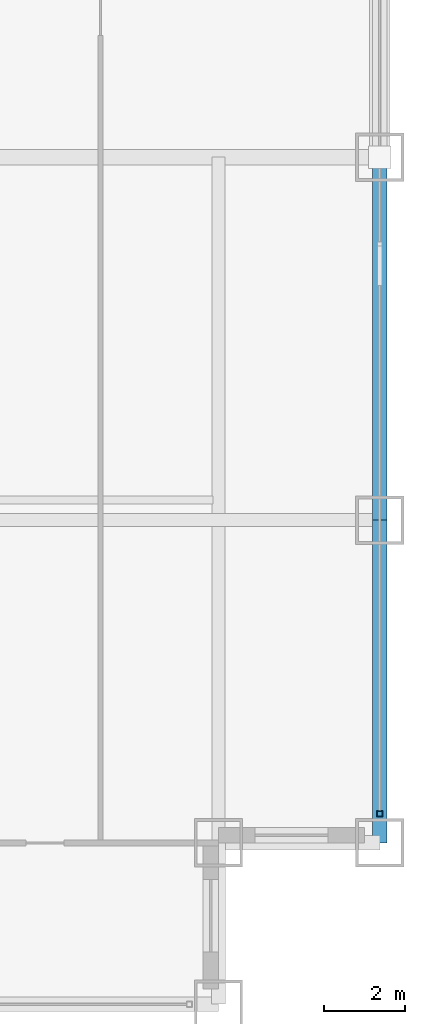
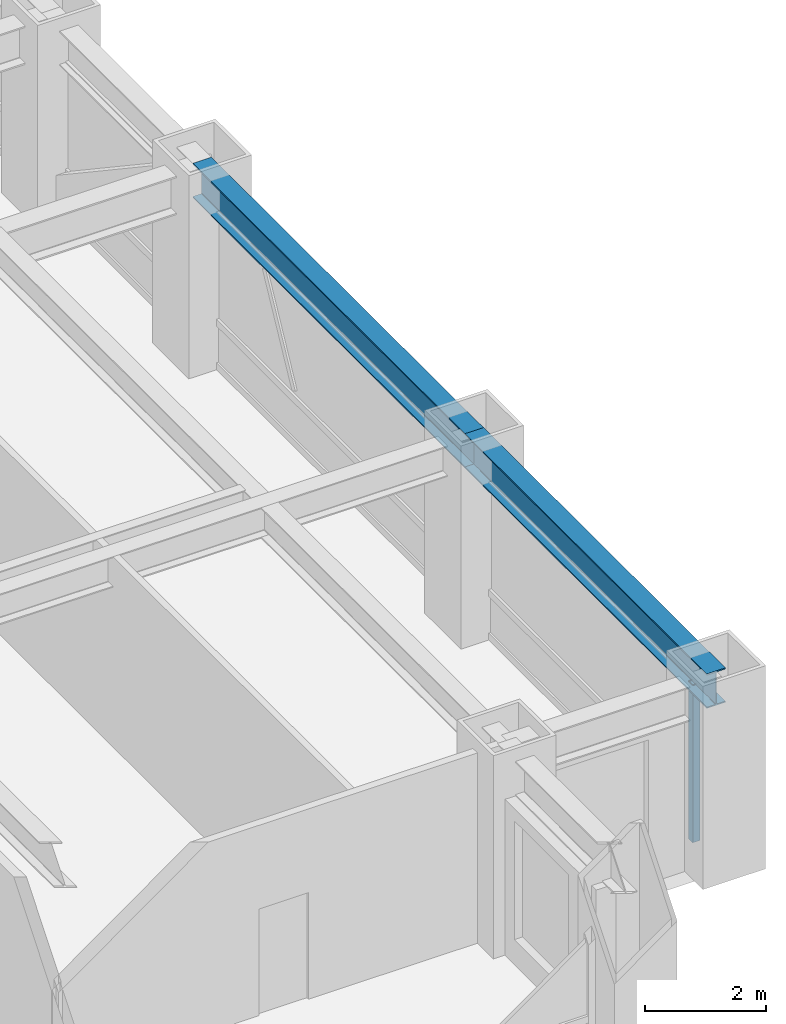
# One storey, part 12 of 28: 2 beams, 1 member, 1 element without a shape of its own.
"""IFC4 building model written with IfcOpenShell, lengths in metres."""

from ifc_helpers import new_model, si_unit, direction, frame, origin, origin_2d, place, context, subcontext, project, spatial, hollow_rectangle, i_section, extrude, source, transform, mapped, material, material_profile, profile_set, type_object, element, aggregate, save


model = new_model("IFC4")

# Units and contexts
model_context = context("Model", 3, precision=1e-05, world=origin(), true_north=direction((0.0, 1.0)))
body_context = subcontext(model_context, "Body", "Model", "MODEL_VIEW")
ifc_project = project(units=[si_unit("LENGTHUNIT", "METRE"), si_unit("AREAUNIT", "SQUARE_METRE"), si_unit("VOLUMEUNIT", "CUBIC_METRE"), si_unit("PLANEANGLEUNIT", "RADIAN"), si_unit("MASSUNIT", "GRAM", prefix="KILO")], contexts=[model_context])

# Site, building, storey
site_placement = place(None, origin())
site = spatial("IfcSite", under=ifc_project, at=site_placement, CompositionType="ELEMENT")
building_placement = place(site_placement, origin())
building = spatial("IfcBuilding", under=site, at=building_placement, Name="Khorayat Bourse Tower", CompositionType="ELEMENT")
storey_placement = place(building_placement, frame((0.0, 0.0, 120.10009765625)))
storey = spatial("IfcBuildingStorey", under=building, at=storey_placement, Name="L27", CompositionType="ELEMENT", Elevation=120.10009765625)

# Beams
ifc_material_1 = material(Name="Steel ASTM A992 Grade 50", Category="steel")
ifc_material_profile_1 = material_profile(ifc_material_1, i_section(OverallWidth=0.35498046875, OverallDepth=0.695068359375, WebThickness=0.015380859375, FlangeThickness=0.02490234375, FilletRadius=0.01806640625, at=origin_2d()), Name="W690X217")
ifc_profile_set_1 = profile_set([ifc_material_profile_1], Name="Steel ASTM A992 Grade 50")
beam_type = type_object("IfcBeamType", Name="BM-SPAN-690", PredefinedType="SPANDREL", material=ifc_profile_set_1)
shared_shape_1 = source(origin(), body_context, "Body", "SweptSolid", [
    extrude(i_section(OverallWidth=0.35498046875, OverallDepth=0.695068359375, WebThickness=0.015380859375, FlangeThickness=0.02490234375, FilletRadius=0.01806640625, at=origin_2d()), origin(), (0.0, 0.0, 1.0), 9.0),
])
beam_1_placement = place(storey_placement, frame((32.0, -20.0, 3.492431640625), z_axis=(0.0, 1.0, 0.0), x_axis=(-1.0, 0.0, 0.0)))
element("IfcBeam", 1, at=beam_1_placement, inside=storey, type_object=beam_type, Name="L27 BM-SPAN-690 BM-L27-SPN-035", PredefinedType="SPANDREL", context=body_context, shape_type="MappedRepresentation", body=[
    mapped(shared_shape_1, transform((0.0, 0.0, 0.0), scale=1.0)),
])
shared_shape_2 = source(origin(), body_context, "Body", "SweptSolid", [
    extrude(i_section(OverallWidth=0.35498046875, OverallDepth=0.695068359375, WebThickness=0.015380859375, FlangeThickness=0.02490234375, FilletRadius=0.01806640625, at=origin_2d()), origin(), (0.0, 0.0, 1.0), 8.0),
])
beam_2_placement = place(storey_placement, frame((32.0, -28.0, 3.492431640625), z_axis=(0.0, 1.0, 0.0), x_axis=(-1.0, 0.0, 0.0)))
element("IfcBeam", 2, at=beam_2_placement, inside=storey, type_object=beam_type, Name="L27 BM-SPAN-690 BM-L27-SPN-034", PredefinedType="SPANDREL", context=body_context, shape_type="MappedRepresentation", body=[
    mapped(shared_shape_2, transform((0.0, 0.0, 0.0), scale=1.0)),
])

# Curtain wall, member
ifc_material_2 = material(Name="Aluminium EN AW-6063 T6", Category="aluminium")
curtain_wall_type = type_object("IfcCurtainWallType", Name="CW-SYS-02", PredefinedType="NOTDEFINED", material=ifc_material_2)
curtain_wall_placement = place(storey_placement, origin())
curtain_wall = element("IfcCurtainWall", 3, at=curtain_wall_placement, inside=storey, type_object=curtain_wall_type, Name="L27 Curtain Wall CW-L27-E1", PredefinedType="NOTDEFINED")
ifc_material_profile_2 = material_profile(ifc_material_2, hollow_rectangle(XDim=0.139892578125, YDim=0.139892578125, WallThickness=0.006103515625, at=origin_2d()), Name="ALU 140x140x6")
ifc_profile_set_2 = profile_set([ifc_material_profile_2], Name="Aluminium EN AW-6063 T6")
member_type = type_object("IfcMemberType", Name="CWM-VERT-140", PredefinedType="MULLION", material=ifc_profile_set_2)
shared_shape_3 = source(origin(), body_context, "Body", "SweptSolid", [
    extrude(hollow_rectangle(XDim=0.139892578125, YDim=0.139892578125, WallThickness=0.006103515625, at=origin_2d()), origin(), (0.0, 0.0, 1.0), 3.18994140625),
])
member_placement = place(storey_placement, frame((32.0, -27.280029296875, 0.0), z_axis=(0.0, 0.0, 1.0), x_axis=(-1.0, 0.0, 0.0)))
member = element("IfcMember", 4, at=member_placement, type_object=member_type, Name="CW-L27-E1 Vertical Mullion 1", PredefinedType="MULLION", context=body_context, shape_type="MappedRepresentation", body=[
    mapped(shared_shape_3, transform((0.0, 0.0, 0.0), scale=1.0)),
])
aggregate(curtain_wall, [member])

save(model, "model.ifc")
